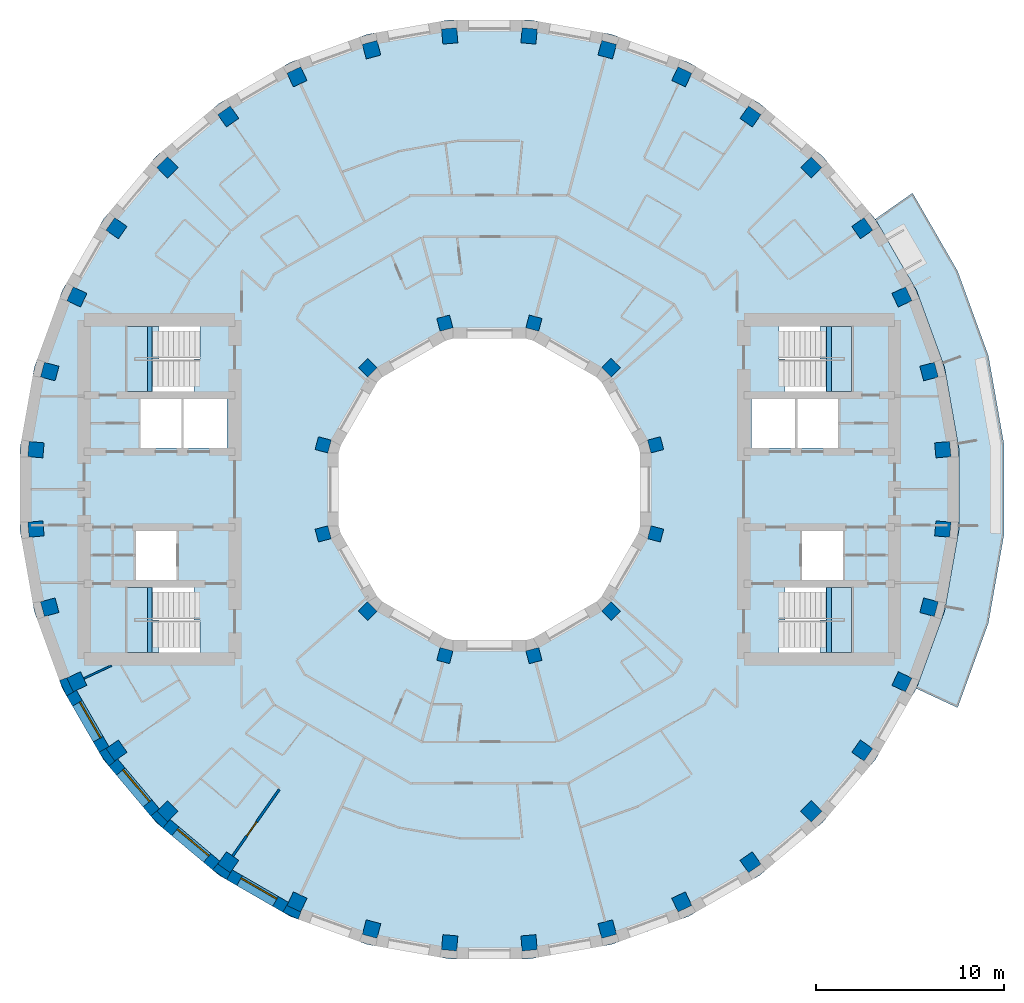
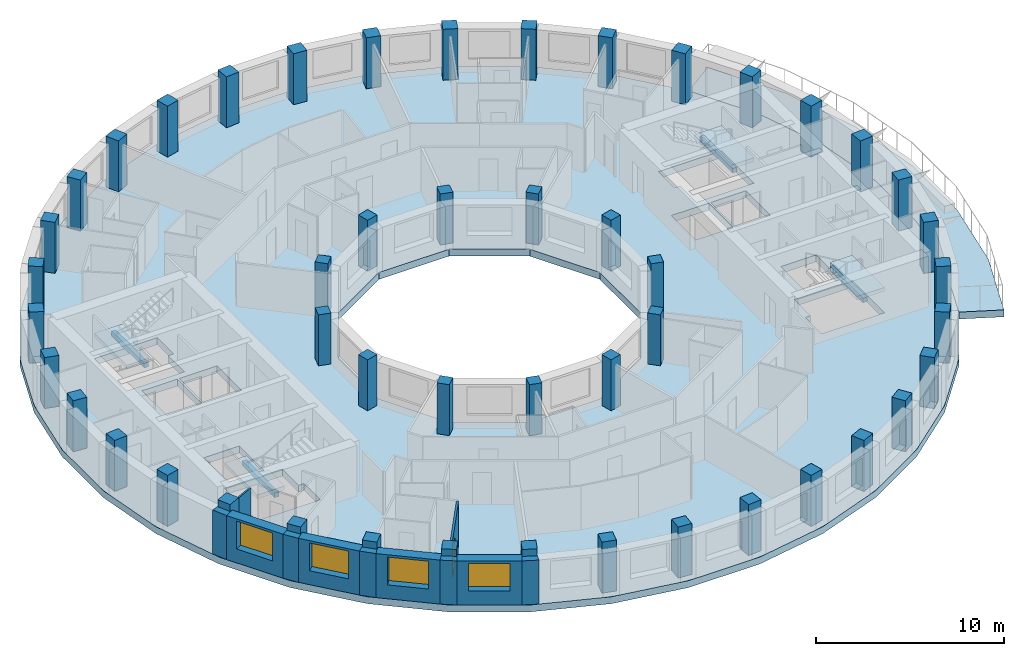
# One storey, part 1 of 11: 48 columns, 11 walls, 6 slabs, 4 beams, 4 windows, 1 door, 5 openings, 4 elements without a shape of their own.
"""IFC4 building model written with IfcOpenShell, lengths in metres."""

from ifc_helpers import new_model, si_unit, direction, frame, frame_2d, origin, origin_2d, place, context, subcontext, project, spatial, polyline, rectangle, outline, extrude, material, layer, layer_set, material_profile, profile_set, type_object, element, fill, aggregate, save


model = new_model("IFC4")

# Units and contexts
model_context = context("Model", 3, precision=1e-05, world=origin(), true_north=direction((0.0, 1.0)))
body_context = subcontext(model_context, "Body", "Model", "MODEL_VIEW")
ifc_project = project(units=[si_unit("LENGTHUNIT", "METRE"), si_unit("AREAUNIT", "SQUARE_METRE"), si_unit("VOLUMEUNIT", "CUBIC_METRE"), si_unit("PLANEANGLEUNIT", "RADIAN"), si_unit("MASSUNIT", "GRAM", prefix="KILO")], contexts=[model_context])

# Site, building, storey
site_placement = place(None, origin())
site = spatial("IfcSite", under=ifc_project, at=site_placement, CompositionType="ELEMENT")
building_placement = place(site_placement, origin())
building = spatial("IfcBuilding", under=site, at=building_placement, Name="Saqina Gate Tower", CompositionType="ELEMENT")
storey_placement = place(building_placement, frame((0.0, 0.0, 180.60009765625)))
storey = spatial("IfcBuildingStorey", under=building, at=storey_placement, Name="L51", CompositionType="ELEMENT", Elevation=180.60009765625)

# Columns
ifc_material_1 = material(Name="Concrete C60/75", Category="concrete")
ifc_material_profile_1 = material_profile(ifc_material_1, rectangle(XDim=0.699951171875, YDim=0.699951171875, at=origin_2d()), Name="RC 700x700")
ifc_profile_set_1 = profile_set([ifc_material_profile_1], Name="Concrete C60/75")
column_type_1 = type_object("IfcColumnType", Name="STR-COL-IN-C", PredefinedType="COLUMN", material=ifc_profile_set_1)
for number, where, z_axis, x_axis, name in (
    (1, (8.821044921875, 2.363525390625, 0.0), (0.0, 0.0, 1.0), (0.965925826289, 0.258819045103, 0.0), "L51-ICL01"),
    (2, (6.45751953125, 6.45751953125, 0.0), (0.0, 0.0, 1.0), (0.707106781187, 0.707106781187, 0.0), "L51-ICL02"),
    (3, (2.363525390625, 8.821044921875, 0.0), (0.0, 0.0, 1.0), (0.258819045103, 0.965925826289, 0.0), "L51-ICL03"),
    (4, (-2.363525390625, 8.821044921875, 0.0), (0.0, 0.0, 1.0), (-0.258819045103, 0.965925826289, 0.0), "L51-ICL04"),
    (5, (-6.45751953125, 6.45751953125, 0.0), (0.0, 0.0, 1.0), (-0.707106781187, 0.707106781187, 0.0), "L51-ICL05"),
    (6, (-8.821044921875, 2.363525390625, 0.0), (0.0, 0.0, 1.0), (-0.965925826289, 0.258819045103, 0.0), "L51-ICL06"),
    (7, (-8.821044921875, -2.363525390625, 0.0), (0.0, 0.0, 1.0), (-0.965925826289, -0.258819045103, 0.0), "L51-ICL07"),
    (8, (-6.45751953125, -6.45751953125, 0.0), (0.0, 0.0, 1.0), (-0.707106781187, -0.707106781187, 0.0), "L51-ICL08"),
    (9, (-2.363525390625, -8.821044921875, 0.0), (0.0, 0.0, 1.0), (-0.258819045103, -0.965925826289, 0.0), "L51-ICL09"),
    (10, (2.363525390625, -8.821044921875, 0.0), (0.0, 0.0, 1.0), (0.258819045103, -0.965925826289, 0.0), "L51-ICL10"),
    (11, (6.45751953125, -6.45751953125, 0.0), (0.0, 0.0, 1.0), (0.707106781187, -0.707106781187, 0.0), "L51-ICL11"),
    (12, (8.821044921875, -2.363525390625, 0.0), (0.0, 0.0, 1.0), (0.965925826289, -0.258819045103, 0.0), "L51-ICL12"),
):
    element("IfcColumn", number, at=place(storey_placement, frame(where, z_axis=z_axis, x_axis=x_axis)), inside=storey, type_object=column_type_1, Name=name, PredefinedType="COLUMN", context=body_context, shape_type="SweptSolid", body=[
        extrude(rectangle(XDim=0.699951171875, YDim=0.699951171875, at=origin_2d()), origin(), (0.0, 0.0, 1.0), 3.2998046875),
    ])
ifc_material_2 = material(Name="Concrete C60/75", Category="concrete")
ifc_material_profile_2 = material_profile(ifc_material_2, rectangle(XDim=0.800048828125, YDim=0.800048828125, at=origin_2d()), Name="RC 800x800")
ifc_profile_set_2 = profile_set([ifc_material_profile_2], Name="Concrete C60/75")
column_type_2 = type_object("IfcColumnType", Name="STR-COL-OUT-C", PredefinedType="COLUMN", material=ifc_profile_set_2)
for number, where, z_axis, x_axis, name in (
    (13, (24.05810546875, 2.104736328125, 0.0), (0.0, 0.0, 1.0), (0.996194698092, 0.087155742748, 0.0), "L51-COL01"),
    (14, (23.3271484375, 6.25048828125, 0.0), (0.0, 0.0, 1.0), (0.965925826289, 0.258819045103, 0.0), "L51-COL02"),
    (15, (21.887451171875, 10.206298828125, 0.0), (0.0, 0.0, 1.0), (0.906307787037, 0.422618261741, 0.0), "L51-COL03"),
    (16, (19.782470703125, 13.851806640625, 0.0), (0.0, 0.0, 1.0), (0.819152044289, 0.573576436351, 0.0), "L51-COL04"),
    (17, (17.07666015625, 17.07666015625, 0.0), (0.0, 0.0, 1.0), (0.707106781187, 0.707106781187, 0.0), "L51-COL05"),
    (18, (13.851806640625, 19.782470703125, 0.0), (0.0, 0.0, 1.0), (0.573576436351, 0.819152044289, 0.0), "L51-COL06"),
    (19, (10.206298828125, 21.887451171875, 0.0), (0.0, 0.0, 1.0), (0.422618261741, 0.906307787037, 0.0), "L51-COL07"),
    (20, (6.25048828125, 23.3271484375, 0.0), (0.0, 0.0, 1.0), (0.258819045103, 0.965925826289, 0.0), "L51-COL08"),
    (21, (2.104736328125, 24.05810546875, 0.0), (0.0, 0.0, 1.0), (0.087155742748, 0.996194698092, 0.0), "L51-COL09"),
    (22, (-2.104736328125, 24.05810546875, 0.0), (0.0, 0.0, 1.0), (-0.087155742748, 0.996194698092, 0.0), "L51-COL10"),
    (23, (-6.25048828125, 23.3271484375, 0.0), (0.0, 0.0, 1.0), (-0.258819045103, 0.965925826289, 0.0), "L51-COL11"),
    (24, (-10.206298828125, 21.887451171875, 0.0), (0.0, 0.0, 1.0), (-0.422618261741, 0.906307787037, 0.0), "L51-COL12"),
    (25, (-13.851806640625, 19.782470703125, 0.0), (0.0, 0.0, 1.0), (-0.573576436351, 0.819152044289, 0.0), "L51-COL13"),
    (26, (-17.07666015625, 17.07666015625, 0.0), (0.0, 0.0, 1.0), (-0.707106781187, 0.707106781187, 0.0), "L51-COL14"),
    (27, (-19.782470703125, 13.851806640625, 0.0), (0.0, 0.0, 1.0), (-0.819152044289, 0.573576436351, 0.0), "L51-COL15"),
    (28, (-21.887451171875, 10.206298828125, 0.0), (0.0, 0.0, 1.0), (-0.906307787037, 0.422618261741, 0.0), "L51-COL16"),
    (29, (-23.3271484375, 6.25048828125, 0.0), (0.0, 0.0, 1.0), (-0.965925826289, 0.258819045103, 0.0), "L51-COL17"),
    (30, (-24.05810546875, 2.104736328125, 0.0), (0.0, 0.0, 1.0), (-0.996194698092, 0.087155742748, 0.0), "L51-COL18"),
    (31, (-24.05810546875, -2.104736328125, 0.0), (0.0, 0.0, 1.0), (-0.996194698092, -0.087155742748, 0.0), "L51-COL19"),
    (32, (-23.3271484375, -6.25048828125, 0.0), (0.0, 0.0, 1.0), (-0.965925826289, -0.258819045103, 0.0), "L51-COL20"),
    (33, (-21.887451171875, -10.206298828125, 0.0), (0.0, 0.0, 1.0), (-0.906307787037, -0.422618261741, 0.0), "L51-COL21"),
    (34, (-19.782470703125, -13.851806640625, 0.0), (0.0, 0.0, 1.0), (-0.819152044289, -0.573576436351, 0.0), "L51-COL22"),
    (35, (-17.07666015625, -17.07666015625, 0.0), (0.0, 0.0, 1.0), (-0.707106781187, -0.707106781187, 0.0), "L51-COL23"),
    (36, (-13.851806640625, -19.782470703125, 0.0), (0.0, 0.0, 1.0), (-0.573576436351, -0.819152044289, 0.0), "L51-COL24"),
    (37, (-10.206298828125, -21.887451171875, 0.0), (0.0, 0.0, 1.0), (-0.422618261741, -0.906307787037, 0.0), "L51-COL25"),
    (38, (-6.25048828125, -23.3271484375, 0.0), (0.0, 0.0, 1.0), (-0.258819045103, -0.965925826289, 0.0), "L51-COL26"),
    (39, (-2.104736328125, -24.05810546875, 0.0), (0.0, 0.0, 1.0), (-0.087155742748, -0.996194698092, 0.0), "L51-COL27"),
    (40, (2.104736328125, -24.05810546875, 0.0), (0.0, 0.0, 1.0), (0.087155742748, -0.996194698092, 0.0), "L51-COL28"),
    (41, (6.25048828125, -23.3271484375, 0.0), (0.0, 0.0, 1.0), (0.258819045103, -0.965925826289, 0.0), "L51-COL29"),
    (42, (10.206298828125, -21.887451171875, 0.0), (0.0, 0.0, 1.0), (0.422618261741, -0.906307787037, 0.0), "L51-COL30"),
    (43, (13.851806640625, -19.782470703125, 0.0), (0.0, 0.0, 1.0), (0.573576436351, -0.819152044289, 0.0), "L51-COL31"),
    (44, (17.07666015625, -17.07666015625, 0.0), (0.0, 0.0, 1.0), (0.707106781187, -0.707106781187, 0.0), "L51-COL32"),
    (45, (19.782470703125, -13.851806640625, 0.0), (0.0, 0.0, 1.0), (0.819152044289, -0.573576436351, 0.0), "L51-COL33"),
    (46, (21.887451171875, -10.206298828125, 0.0), (0.0, 0.0, 1.0), (0.906307787037, -0.422618261741, 0.0), "L51-COL34"),
    (47, (23.3271484375, -6.25048828125, 0.0), (0.0, 0.0, 1.0), (0.965925826289, -0.258819045103, 0.0), "L51-COL35"),
    (48, (24.05810546875, -2.104736328125, 0.0), (0.0, 0.0, 1.0), (0.996194698092, -0.087155742748, 0.0), "L51-COL36"),
):
    element("IfcColumn", number, at=place(storey_placement, frame(where, z_axis=z_axis, x_axis=x_axis)), inside=storey, type_object=column_type_2, Name=name, PredefinedType="COLUMN", context=body_context, shape_type="SweptSolid", body=[
        extrude(rectangle(XDim=0.800048828125, YDim=0.800048828125, at=origin_2d()), origin(), (0.0, 0.0, 1.0), 3.2998046875),
    ])

# Beams
ifc_material_3 = material(Name="Concrete C40/50", Category="concrete")
ifc_material_profile_3 = material_profile(ifc_material_3, rectangle(XDim=0.25, YDim=0.300048828125, at=origin_2d()), Name="STAIR LANDING BEAM")
ifc_profile_set_3 = profile_set([ifc_material_profile_3], Name="Concrete C40/50")
beam_type = type_object("IfcBeamType", Name="STAIR LANDING BEAM", PredefinedType="BEAM", material=ifc_profile_set_3)
for number, where, z_axis, x_axis, name in (
    (49, (18.02001953125, 5.199951171875, 1.25), (0.0, 1.0, 0.0), (-1.0, 0.0, 0.0), "EXIT STAIR 1 LANDING BEAM"),
    (50, (18.02001953125, -8.64990234375, 1.25), (0.0, 1.0, 0.0), (-1.0, 0.0, 0.0), "EXIT STAIR 2 LANDING BEAM"),
    (51, (-18.02001953125, 5.199951171875, 1.25), (0.0, 1.0, 0.0), (-1.0, 0.0, 0.0), "EXIT STAIR 3 LANDING BEAM"),
    (52, (-18.02001953125, -8.64990234375, 1.25), (0.0, 1.0, 0.0), (-1.0, 0.0, 0.0), "EXIT STAIR 4 LANDING BEAM"),
):
    element("IfcBeam", number, at=place(storey_placement, frame(where, z_axis=z_axis, x_axis=x_axis)), inside=storey, type_object=beam_type, Name=name, PredefinedType="BEAM", context=body_context, shape_type="SweptSolid", body=[
        extrude(rectangle(XDim=0.25, YDim=0.300048828125, at=origin_2d()), origin(), (0.0, 0.0, 1.0), 3.449951171875),
    ])

# Stair, slab
ifc_material_4 = material(Name="Concrete C40/50", Category="concrete")
stair_type = type_object("IfcStairType", Name="EXIT STAIR", PredefinedType="HALF_TURN_STAIR", material=ifc_material_4)
stair_1_placement = place(storey_placement, origin())
stair_1 = element("IfcStair", 53, at=stair_1_placement, inside=storey, type_object=stair_type, Name="EXIT STAIR 1", PredefinedType="HALF_TURN_STAIR")
ifc_material_5 = material(Name="Concrete C40/50", Category="concrete")
ifc_layer_1 = layer(ifc_material_5, 0.25)
ifc_layer_set_1 = layer_set([ifc_layer_1], Name="Concrete C40/50")
slab_type_1 = type_object("IfcSlabType", Name="EXIT STAIR LANDING", PredefinedType="LANDING", material=ifc_layer_set_1)
slab_1_placement = place(storey_placement, frame((0.0, 0.0, 1.39990234375)))
slab_1 = element("IfcSlab", 54, at=slab_1_placement, type_object=slab_type_1, Name="EXIT STAIR 1 LANDING 1", PredefinedType="LANDING", context=body_context, shape_type="SweptSolid", body=[
    extrude(outline(polyline([(19.219970703125, 8.64990234375), (19.219970703125, 5.199951171875), (17.864990234375, 5.199951171875), (17.864990234375, 6.925048828125), (17.534423828125, 6.925048828125), (17.534423828125, 8.64990234375), (17.864990234375, 8.64990234375), (17.8701171875, 8.64990234375), (19.219970703125, 8.64990234375)])), origin(), (0.0, 0.0, 1.0), 0.25),
])
aggregate(stair_1, [slab_1])

stair_2_placement = place(storey_placement, origin())
stair_2 = element("IfcStair", 55, at=stair_2_placement, inside=storey, type_object=stair_type, Name="EXIT STAIR 2", PredefinedType="HALF_TURN_STAIR")
slab_2_placement = place(storey_placement, frame((0.0, 0.0, 1.39990234375)))
slab_2 = element("IfcSlab", 56, at=slab_2_placement, type_object=slab_type_1, Name="EXIT STAIR 2 LANDING 1", PredefinedType="LANDING", context=body_context, shape_type="SweptSolid", body=[
    extrude(outline(polyline([(17.534423828125, -8.64990234375), (17.534423828125, -6.925048828125), (17.864990234375, -6.925048828125), (17.864990234375, -5.199951171875), (19.219970703125, -5.199951171875), (19.219970703125, -8.64990234375), (17.8701171875, -8.64990234375), (17.864990234375, -8.64990234375), (17.534423828125, -8.64990234375)])), origin(), (0.0, 0.0, 1.0), 0.25),
])
aggregate(stair_2, [slab_2])

stair_3_placement = place(storey_placement, origin())
stair_3 = element("IfcStair", 57, at=stair_3_placement, inside=storey, type_object=stair_type, Name="EXIT STAIR 3", PredefinedType="HALF_TURN_STAIR")
slab_3_placement = place(storey_placement, frame((0.0, 0.0, 1.39990234375)))
slab_3 = element("IfcSlab", 58, at=slab_3_placement, type_object=slab_type_1, Name="EXIT STAIR 3 LANDING 1", PredefinedType="LANDING", context=body_context, shape_type="SweptSolid", body=[
    extrude(outline(polyline([(-17.864990234375, 5.199951171875), (-19.219970703125, 5.199951171875), (-19.219970703125, 8.64990234375), (-17.8701171875, 8.64990234375), (-17.864990234375, 8.64990234375), (-17.534423828125, 8.64990234375), (-17.534423828125, 6.925048828125), (-17.864990234375, 6.925048828125), (-17.864990234375, 5.199951171875)])), origin(), (0.0, 0.0, 1.0), 0.25),
])
aggregate(stair_3, [slab_3])

stair_4_placement = place(storey_placement, origin())
stair_4 = element("IfcStair", 59, at=stair_4_placement, inside=storey, type_object=stair_type, Name="EXIT STAIR 4", PredefinedType="HALF_TURN_STAIR")
slab_4_placement = place(storey_placement, frame((0.0, 0.0, 1.39990234375)))
slab_4 = element("IfcSlab", 60, at=slab_4_placement, type_object=slab_type_1, Name="EXIT STAIR 4 LANDING 1", PredefinedType="LANDING", context=body_context, shape_type="SweptSolid", body=[
    extrude(outline(polyline([(-17.534423828125, -6.925048828125), (-17.534423828125, -8.64990234375), (-17.864990234375, -8.64990234375), (-17.8701171875, -8.64990234375), (-19.219970703125, -8.64990234375), (-19.219970703125, -5.199951171875), (-17.864990234375, -5.199951171875), (-17.864990234375, -6.925048828125), (-17.534423828125, -6.925048828125)])), origin(), (0.0, 0.0, 1.0), 0.25),
])
aggregate(stair_4, [slab_4])

# Slabs
ifc_material_6 = material(Name="Concrete C40/50", Category="concrete")
ifc_layer_2 = layer(ifc_material_6, 0.449951171875)
ifc_layer_set_2 = layer_set([ifc_layer_2], Name="Concrete C40/50")
slab_type_2 = type_object("IfcSlabType", Name="STR-POST-TENSIONED FLAT PLATE FLOOR-450", PredefinedType="FLOOR", material=ifc_layer_set_2)
slab_5_placement = place(storey_placement, frame((0.0, 0.0, -0.4501953125)))
element("IfcSlab", 61, at=slab_5_placement, inside=storey, type_object=slab_type_2, Name="L51-SLB01", PredefinedType="FLOOR", context=body_context, shape_type="SweptSolid", body=[
    extrude(outline(polyline([(24.148193359375, -6.470458984375), (24.90478515625, -2.178955078125), (24.90478515625, 2.178955078125), (24.148193359375, 6.470458984375), (22.65771484375, 10.5654296875), (20.478759765625, 14.33935546875), (17.677734375, 17.677734375), (14.33935546875, 20.478759765625), (10.5654296875, 22.65771484375), (6.470458984375, 24.148193359375), (2.178955078125, 24.90478515625), (-2.178955078125, 24.90478515625), (-6.470458984375, 24.148193359375), (-10.5654296875, 22.65771484375), (-14.33935546875, 20.478759765625), (-17.677734375, 17.677734375), (-20.478759765625, 14.33935546875), (-22.65771484375, 10.5654296875), (-24.148193359375, 6.470458984375), (-24.90478515625, 2.178955078125), (-24.90478515625, -2.178955078125), (-24.148193359375, -6.470458984375), (-22.65771484375, -10.5654296875), (-20.478759765625, -14.33935546875), (-17.677734375, -17.677734375), (-14.33935546875, -20.478759765625), (-10.5654296875, -22.65771484375), (-6.470458984375, -24.148193359375), (-2.178955078125, -24.90478515625), (2.178955078125, -24.90478515625), (6.470458984375, -24.148193359375), (10.5654296875, -22.65771484375), (14.33935546875, -20.478759765625), (17.677734375, -17.677734375), (20.478759765625, -14.33935546875), (22.65771484375, -10.5654296875), (24.148193359375, -6.470458984375)]), holes=[polyline([(2.1435546875, 8.0), (5.8564453125, 5.8564453125), (8.0, 2.1435546875), (8.0, -2.1435546875), (5.8564453125, -5.8564453125), (2.1435546875, -8.0), (-2.1435546875, -8.0), (-5.8564453125, -5.8564453125), (-8.0, -2.1435546875), (-8.0, 2.1435546875), (-5.8564453125, 5.8564453125), (-2.1435546875, 8.0), (2.1435546875, 8.0)]), polyline([(-15.35498046875, -8.64990234375), (-19.219970703125, -8.64990234375), (-19.219970703125, -6.925048828125), (-19.219970703125, -5.199951171875), (-15.685546875, -5.199951171875), (-15.685546875, -6.925048828125), (-15.35498046875, -6.925048828125), (-15.35498046875, -8.64990234375)]), polyline([(-16.590087890625, -2.199951171875), (-16.590087890625, -4.800048828125), (-18.75, -4.800048828125), (-18.75, -2.199951171875), (-16.590087890625, -2.199951171875)]), polyline([(-16.340087890625, 4.800048828125), (-16.340087890625, 2.199951171875), (-18.5, 2.199951171875), (-18.5, 4.800048828125), (-16.340087890625, 4.800048828125)]), polyline([(-13.909912109375, 4.800048828125), (-13.909912109375, 2.199951171875), (-16.219970703125, 2.199951171875), (-16.219970703125, 4.800048828125), (-13.909912109375, 4.800048828125)]), polyline([(-19.219970703125, 6.925048828125), (-19.219970703125, 8.64990234375), (-15.35498046875, 8.64990234375), (-15.35498046875, 6.925048828125), (-15.685546875, 6.925048828125), (-15.685546875, 5.199951171875), (-19.219970703125, 5.199951171875), (-19.219970703125, 6.925048828125)]), polyline([(15.35498046875, -8.64990234375), (15.35498046875, -6.925048828125), (15.685546875, -6.925048828125), (15.685546875, -5.199951171875), (19.219970703125, -5.199951171875), (19.219970703125, -6.925048828125), (19.219970703125, -8.64990234375), (15.35498046875, -8.64990234375)]), polyline([(18.75, -2.199951171875), (18.75, -4.800048828125), (16.590087890625, -4.800048828125), (16.590087890625, -2.199951171875), (18.75, -2.199951171875)]), polyline([(16.219970703125, 4.800048828125), (16.219970703125, 2.199951171875), (13.909912109375, 2.199951171875), (13.909912109375, 4.800048828125), (16.219970703125, 4.800048828125)]), polyline([(18.5, 4.800048828125), (18.5, 2.199951171875), (16.340087890625, 2.199951171875), (16.340087890625, 4.800048828125), (18.5, 4.800048828125)]), polyline([(15.685546875, 6.925048828125), (15.35498046875, 6.925048828125), (15.35498046875, 8.64990234375), (19.219970703125, 8.64990234375), (19.219970703125, 6.925048828125), (19.219970703125, 5.199951171875), (15.685546875, 5.199951171875), (15.685546875, 6.925048828125)])]), origin(), (0.0, 0.0, 1.0), 0.4501953125),
])
ifc_material_7 = material(Name="Concrete C40/50", Category="concrete")
ifc_layer_3 = layer(ifc_material_7, 0.449951171875)
ifc_layer_set_3 = layer_set([ifc_layer_3], Name="Concrete C40/50")
slab_type_3 = type_object("IfcSlabType", Name="STR-POST-TENSIONED FLAT PLATE TERRACE-450", PredefinedType="FLOOR", material=ifc_layer_set_3)
slab_6_placement = place(storey_placement, frame((0.0, 0.0, -0.4501953125)))
element("IfcSlab", 62, at=slab_6_placement, inside=storey, type_object=slab_type_3, Name="L51-TRS01", PredefinedType="FLOOR", context=body_context, shape_type="SweptSolid", body=[
    extrude(outline(polyline([(22.65771484375, -10.5654296875), (24.148193359375, -6.470458984375), (24.90478515625, -2.178955078125), (24.90478515625, 2.178955078125), (24.148193359375, 6.470458984375), (22.65771484375, 10.5654296875), (20.478759765625, 14.33935546875), (22.452392578125, 15.72119140625), (24.841064453125, 11.58349609375), (26.475341796875, 7.093994140625), (27.304931640625, 2.388916015625), (27.304931640625, -2.388916015625), (26.475341796875, -7.093994140625), (24.841064453125, -11.58349609375), (22.65771484375, -10.5654296875)])), origin(), (0.0, 0.0, 1.0), 0.4501953125),
])

# Walls
ifc_material_8 = material(Name="Brick masonry (buff)", Category="masonry")
wall_type_1 = type_object("IfcWallType", Name="BRICK PIER COPING BUFF", PredefinedType="SOLIDWALL", material=ifc_material_8)
wall_1_placement = place(storey_placement, origin())
element("IfcWall", 63, at=wall_1_placement, inside=storey, type_object=wall_type_1, Name="Pier cap L51 column 21", PredefinedType="SOLIDWALL", context=body_context, shape_type="SweptSolid", body=[
    extrude(outline(polyline([(-22.4306640625, -10.958740234375), (-21.9111328125, -10.65869140625), (-22.080810546875, -10.73779296875), (-22.4189453125, -10.0126953125), (-22.249267578125, -9.93359375), (-22.81298828125, -10.138916015625), (-22.4306640625, -10.958740234375)])), origin(), (0.0, 0.0, 1.0), 2.849853515625),
])
wall_2_placement = place(storey_placement, origin())
element("IfcWall", 64, at=wall_2_placement, inside=storey, type_object=wall_type_1, Name="Pier cap L51 column 22", PredefinedType="SOLIDWALL", context=body_context, shape_type="SweptSolid", body=[
    extrude(outline(polyline([(-20.705810546875, -13.9462890625), (-20.18701171875, -14.687255859375), (-19.727294921875, -14.301513671875), (-19.880859375, -14.408935546875), (-20.339599609375, -13.753662109375), (-20.186279296875, -13.646240234375), (-20.705810546875, -13.9462890625)])), origin(), (0.0, 0.0, 1.0), 2.849853515625),
])
wall_3_placement = place(storey_placement, origin())
element("IfcWall", 65, at=wall_3_placement, inside=storey, type_object=wall_type_1, Name="Pier cap L51 column 23", PredefinedType="SOLIDWALL", context=body_context, shape_type="SweptSolid", body=[
    extrude(outline(polyline([(-17.329833984375, -17.969482421875), (-16.944091796875, -17.510009765625), (-17.07666015625, -17.642333984375), (-17.642333984375, -17.07666015625), (-17.510009765625, -16.944091796875), (-17.969482421875, -17.329833984375), (-17.329833984375, -17.969482421875)])), origin(), (0.0, 0.0, 1.0), 2.849853515625),
])
wall_4_placement = place(storey_placement, origin())
element("IfcWall", 66, at=wall_4_placement, inside=storey, type_object=wall_type_1, Name="Pier cap L51 column 24", PredefinedType="SOLIDWALL", context=body_context, shape_type="SweptSolid", body=[
    extrude(outline(polyline([(-14.687255859375, -20.18701171875), (-13.9462890625, -20.705810546875), (-13.646240234375, -20.186279296875), (-13.753662109375, -20.339599609375), (-14.408935546875, -19.880859375), (-14.301513671875, -19.727294921875), (-14.687255859375, -20.18701171875)])), origin(), (0.0, 0.0, 1.0), 2.849853515625),
])
wall_5_placement = place(storey_placement, origin())
element("IfcWall", 67, at=wall_5_placement, inside=storey, type_object=wall_type_1, Name="Pier cap L51 column 25", PredefinedType="SOLIDWALL", context=body_context, shape_type="SweptSolid", body=[
    extrude(outline(polyline([(-10.138916015625, -22.81298828125), (-9.93359375, -22.249267578125), (-10.0126953125, -22.4189453125), (-10.73779296875, -22.080810546875), (-10.65869140625, -21.9111328125), (-10.958740234375, -22.4306640625), (-10.138916015625, -22.81298828125)])), origin(), (0.0, 0.0, 1.0), 2.849853515625),
])

# Wall, opening, window
ifc_material_9 = material(Name="Brick masonry (buff)", Category="masonry")
ifc_layer_4 = layer(ifc_material_9, 0.60009765625)
ifc_layer_set_4 = layer_set([ifc_layer_4], Name="FW-BRICK-BUFF")
wall_type_2 = type_object("IfcWallType", Name="FW-BRICK-BUFF", PredefinedType="SOLIDWALL", material=ifc_layer_set_4)
wall_6_placement = place(storey_placement, frame((-22.1708984375, -10.80859375, 0.0), z_axis=(0.0, 0.0, 1.0), x_axis=(0.499998129301, -0.86602648383, 0.0)))
wall_6 = element("IfcWall", 68, at=wall_6_placement, inside=storey, type_object=wall_type_2, Name="Facade wall L51 facet 21", PredefinedType="SOLIDWALL", context=body_context, shape_type="SweptSolid", body=[
    extrude(rectangle(XDim=3.44970703125, YDim=0.60009765625, at=frame_2d((1.724853515625, 0.0))), origin(), (0.0, 0.0, 1.0), 2.849853515625),
])
opening_1_placement = place(wall_6_placement, frame((0.625, 0.0, 0.89990234375)))
opening_1 = element("IfcOpeningElement", 69, at=opening_1_placement, cuts=wall_6, Name="Opening G15-W13", PredefinedType="OPENING", context=body_context, shape_type="SweptSolid", body=[
    extrude(rectangle(XDim=2.199951171875, YDim=1.800048828125, at=frame_2d((1.10009765625, 0.89990234375))), frame((0.0, 0.31201171875, 0.0), z_axis=(0.0, -1.0, 0.0), x_axis=(1.0, 0.0, 0.0)), (0.0, 0.0, 1.0), 0.6240234375),
])
ifc_material_10 = material(Name="Aluminium glazing", Category="aluminium")
window_type = type_object("IfcWindowType", Name="WN-C", PartitioningType="SINGLE_PANEL", PredefinedType="WINDOW", material=ifc_material_10)
window_1_placement = place(opening_1_placement, origin())
window_1 = element("IfcWindow", 70, at=window_1_placement, inside=storey, type_object=window_type, Name="Window L51 facet 21", OverallHeight=1.800048828125, OverallWidth=2.199951171875, PartitioningType="SINGLE_PANEL", PredefinedType="WINDOW", context=body_context, shape_type="SweptSolid", body=[
    extrude(rectangle(XDim=2.199951171875, YDim=1.800048828125, at=frame_2d((1.10009765625, 0.89990234375))), frame((0.0, 0.179931640625, 0.0), z_axis=(0.0, -1.0, 0.0), x_axis=(1.0, 0.0, 0.0)), (0.0, 0.0, 1.0), 0.06005859375),
])
fill(opening_1, window_1)

wall_7_placement = place(storey_placement, frame((-19.95703125, -14.494384765625, 0.0), z_axis=(0.0, 0.0, 1.0), x_axis=(0.642770398358, -0.766058884809, 0.0)))
wall_7 = element("IfcWall", 71, at=wall_7_placement, inside=storey, type_object=wall_type_2, Name="Facade wall L51 facet 22", PredefinedType="SOLIDWALL", context=body_context, shape_type="SweptSolid", body=[
    extrude(rectangle(XDim=3.449462890625, YDim=0.60009765625, at=frame_2d((1.724609375, 0.0))), origin(), (0.0, 0.0, 1.0), 2.849853515625),
])
opening_2_placement = place(wall_7_placement, frame((0.625, 0.0, 0.89990234375)))
opening_2 = element("IfcOpeningElement", 72, at=opening_2_placement, cuts=wall_7, Name="Opening G15-W14", PredefinedType="OPENING", context=body_context, shape_type="SweptSolid", body=[
    extrude(rectangle(XDim=2.199951171875, YDim=1.800048828125, at=frame_2d((1.10009765625, 0.89990234375))), frame((0.0, 0.31201171875, 0.0), z_axis=(0.0, -1.0, 0.0), x_axis=(1.0, 0.0, 0.0)), (0.0, 0.0, 1.0), 0.6240234375),
])
window_2_placement = place(opening_2_placement, origin())
window_2 = element("IfcWindow", 73, at=window_2_placement, inside=storey, type_object=window_type, Name="Window L51 facet 22", OverallHeight=1.800048828125, OverallWidth=2.199951171875, PartitioningType="SINGLE_PANEL", PredefinedType="WINDOW", context=body_context, shape_type="SweptSolid", body=[
    extrude(rectangle(XDim=2.199951171875, YDim=1.800048828125, at=frame_2d((1.10009765625, 0.89990234375))), frame((0.0, 0.179931640625, 0.0), z_axis=(0.0, -1.0, 0.0), x_axis=(1.0, 0.0, 0.0)), (0.0, 0.0, 1.0), 0.06005859375),
])
fill(opening_2, window_2)

wall_8_placement = place(storey_placement, frame((-17.136962890625, -17.73974609375, 0.0), z_axis=(0.0, 0.0, 1.0), x_axis=(0.766058884809, -0.642770398358, 0.0)))
wall_8 = element("IfcWall", 74, at=wall_8_placement, inside=storey, type_object=wall_type_2, Name="Facade wall L51 facet 23", PredefinedType="SOLIDWALL", context=body_context, shape_type="SweptSolid", body=[
    extrude(rectangle(XDim=3.449462890625, YDim=0.60009765625, at=frame_2d((1.724609375, 0.0))), origin(), (0.0, 0.0, 1.0), 2.849853515625),
])
opening_3_placement = place(wall_8_placement, frame((0.625, 0.0, 0.89990234375)))
opening_3 = element("IfcOpeningElement", 75, at=opening_3_placement, cuts=wall_8, Name="Opening G15-W15", PredefinedType="OPENING", context=body_context, shape_type="SweptSolid", body=[
    extrude(rectangle(XDim=2.199951171875, YDim=1.800048828125, at=frame_2d((1.10009765625, 0.89990234375))), frame((0.0, 0.31201171875, 0.0), z_axis=(0.0, -1.0, 0.0), x_axis=(1.0, 0.0, 0.0)), (0.0, 0.0, 1.0), 0.6240234375),
])
window_3_placement = place(opening_3_placement, origin())
window_3 = element("IfcWindow", 76, at=window_3_placement, inside=storey, type_object=window_type, Name="Window L51 facet 23", OverallHeight=1.800048828125, OverallWidth=2.199951171875, PartitioningType="SINGLE_PANEL", PredefinedType="WINDOW", context=body_context, shape_type="SweptSolid", body=[
    extrude(rectangle(XDim=2.199951171875, YDim=1.800048828125, at=frame_2d((1.10009765625, 0.89990234375))), frame((0.0, 0.179931640625, 0.0), z_axis=(0.0, -1.0, 0.0), x_axis=(1.0, 0.0, 0.0)), (0.0, 0.0, 1.0), 0.06005859375),
])
fill(opening_3, window_3)

wall_9_placement = place(storey_placement, frame((-13.796142578125, -20.446044921875, 0.0), z_axis=(0.0, 0.0, 1.0), x_axis=(0.86602648383, -0.499998129301, 0.0)))
wall_9 = element("IfcWall", 77, at=wall_9_placement, inside=storey, type_object=wall_type_2, Name="Facade wall L51 facet 24", PredefinedType="SOLIDWALL", context=body_context, shape_type="SweptSolid", body=[
    extrude(rectangle(XDim=3.44970703125, YDim=0.60009765625, at=frame_2d((1.724853515625, 0.0))), origin(), (0.0, 0.0, 1.0), 2.849853515625),
])
opening_4_placement = place(wall_9_placement, frame((0.625, 0.0, 0.89990234375)))
opening_4 = element("IfcOpeningElement", 78, at=opening_4_placement, cuts=wall_9, Name="Opening G15-W16", PredefinedType="OPENING", context=body_context, shape_type="SweptSolid", body=[
    extrude(rectangle(XDim=2.199951171875, YDim=1.800048828125, at=frame_2d((1.10009765625, 0.89990234375))), frame((0.0, 0.31201171875, 0.0), z_axis=(0.0, -1.0, 0.0), x_axis=(1.0, 0.0, 0.0)), (0.0, 0.0, 1.0), 0.6240234375),
])
window_4_placement = place(opening_4_placement, origin())
window_4 = element("IfcWindow", 79, at=window_4_placement, inside=storey, type_object=window_type, Name="Window L51 facet 24", OverallHeight=1.800048828125, OverallWidth=2.199951171875, PartitioningType="SINGLE_PANEL", PredefinedType="WINDOW", context=body_context, shape_type="SweptSolid", body=[
    extrude(rectangle(XDim=2.199951171875, YDim=1.800048828125, at=frame_2d((1.10009765625, 0.89990234375))), frame((0.0, 0.179931640625, 0.0), z_axis=(0.0, -1.0, 0.0), x_axis=(1.0, 0.0, 0.0)), (0.0, 0.0, 1.0), 0.06005859375),
])
fill(opening_4, window_4)

# Wall
ifc_material_11 = material(Name="Gypsum board on steel studs, 100 mm", Category="steel")
ifc_layer_5 = layer(ifc_material_11, 0.10009765625)
ifc_layer_set_5 = layer_set([ifc_layer_5], Name="PARTITION 100")
wall_type_3 = type_object("IfcWallType", Name="PARTITION 100", PredefinedType="PARTITIONING", material=ifc_layer_set_5)
wall_10_placement = place(storey_placement, frame((-21.515625, -10.032958984375, 0.0), z_axis=(0.0, 0.0, 1.0), x_axis=(0.906329754533, 0.422571149096, 0.0)))
element("IfcWall", 80, at=wall_10_placement, inside=storey, type_object=wall_type_3, Name="PARTITION PW3-38", PredefinedType="PARTITIONING", context=body_context, shape_type="SweptSolid", body=[
    extrude(rectangle(XDim=1.615966796875, YDim=0.10009765625, at=frame_2d((0.80810546875, 0.0))), origin(), (0.0, 0.0, 1.0), 2.849853515625),
])

# Wall, opening, door
ifc_material_12 = material(Name="Gypsum board on steel studs, 125 mm, fire rated", Category="steel")
ifc_layer_6 = layer(ifc_material_12, 0.125)
ifc_layer_set_6 = layer_set([ifc_layer_6], Name="PARTITION EI 30 125")
wall_type_4 = type_object("IfcWallType", Name="PARTITION EI 30 125", PredefinedType="PARTITIONING", material=ifc_layer_set_6)
wall_11_placement = place(storey_placement, frame((-13.617431640625, -19.4462890625, 0.0), z_axis=(0.0, 0.0, 1.0), x_axis=(0.573957706456, 0.818884943811, 0.0)))
wall_11 = element("IfcWall", 81, at=wall_11_placement, inside=storey, type_object=wall_type_4, Name="PARTITION PW1-37", PredefinedType="PARTITIONING", context=body_context, shape_type="SweptSolid", body=[
    extrude(rectangle(XDim=4.299072265625, YDim=0.125, at=frame_2d((2.1494140625, 0.0))), origin(), (0.0, 0.0, 1.0), 2.849853515625),
])
opening_5_placement = place(wall_11_placement, frame((1.301513671875, 0.0, 0.0)))
opening_5 = element("IfcOpeningElement", 82, at=opening_5_placement, cuts=wall_11, Name="Opening G15-D26", PredefinedType="OPENING", context=body_context, shape_type="SweptSolid", body=[
    extrude(rectangle(XDim=0.89990234375, YDim=2.10009765625, at=frame_2d((0.449951171875, 1.050048828125))), frame((0.0, 0.074462890625, 0.0), z_axis=(0.0, -1.0, 0.0), x_axis=(1.0, 0.0, 0.0)), (0.0, 0.0, 1.0), 0.14892578125),
])
ifc_material_13 = material(Name="Fire door leaf EI 30, 900 mm")
door_type = type_object("IfcDoorType", Name="DOOR 900 EI 30", OperationType="SINGLE_SWING_LEFT", PredefinedType="DOOR", material=ifc_material_13)
door_placement = place(opening_5_placement, frame((0.89990234375, 0.0, 0.0), z_axis=(0.0, 0.0, 1.0), x_axis=(-1.0, 0.0, 0.0)))
door = element("IfcDoor", 83, at=door_placement, inside=storey, type_object=door_type, Name="DOOR G15-D26", OperationType="SINGLE_SWING_RIGHT", OverallHeight=2.10009765625, OverallWidth=0.89990234375, PredefinedType="DOOR", context=body_context, shape_type="SweptSolid", body=[
    extrude(rectangle(XDim=0.89990234375, YDim=2.10009765625, at=frame_2d((0.449951171875, 1.050048828125))), frame((0.0, 0.02490234375, 0.0), z_axis=(0.0, -1.0, 0.0), x_axis=(1.0, 0.0, 0.0)), (0.0, 0.0, 1.0), 0.050048828125),
])
fill(opening_5, door)

save(model, "model.ifc")
